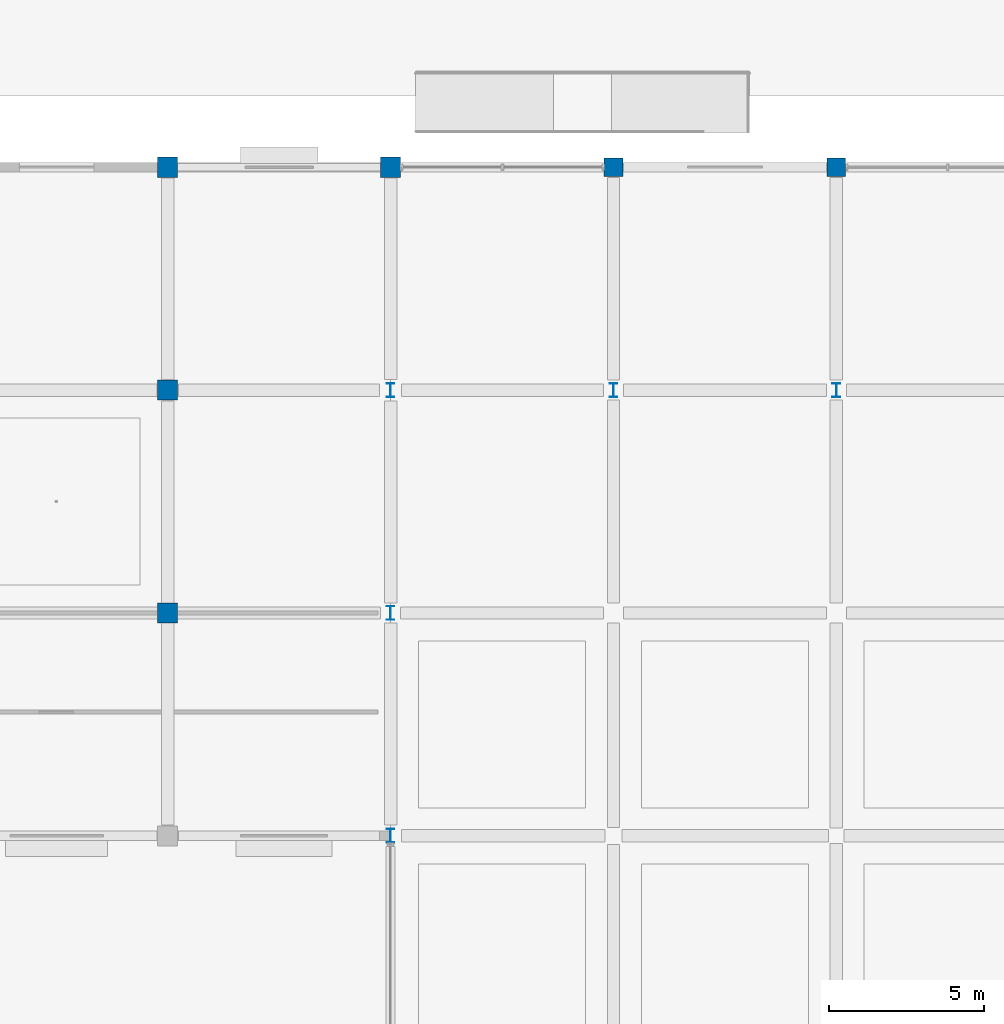
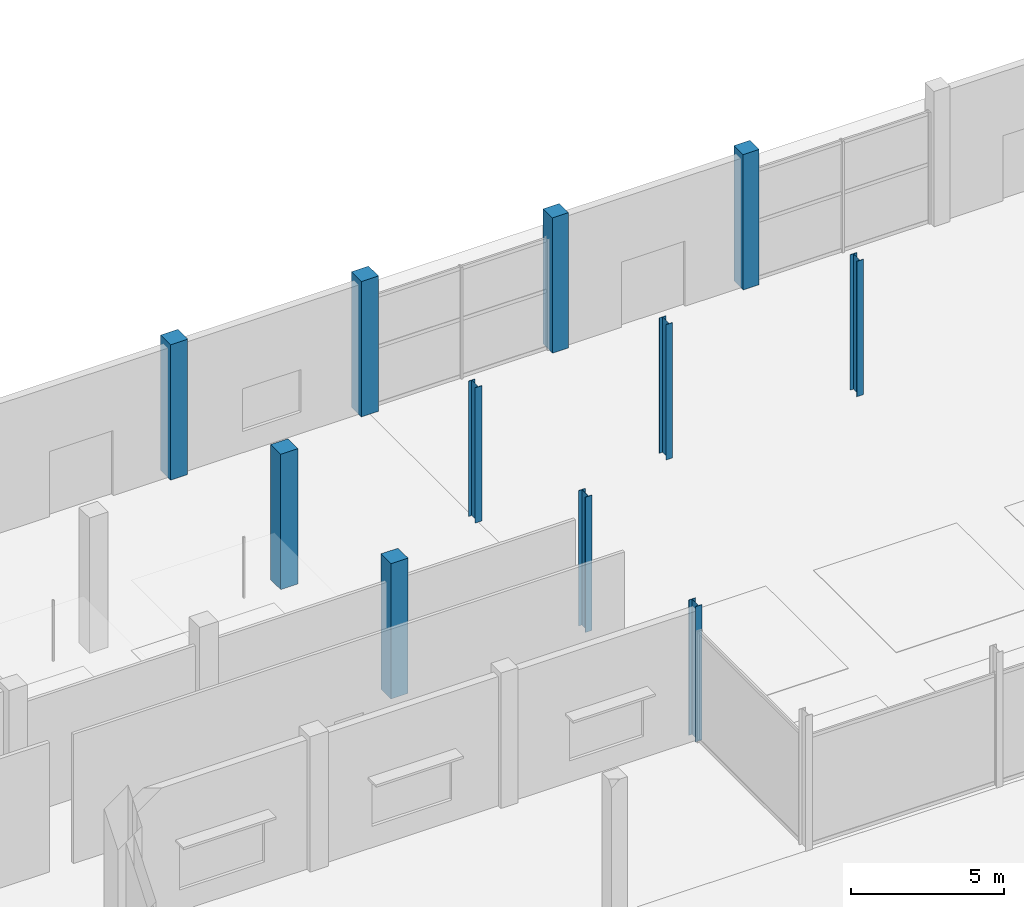
# One storey, part 6 of 90: 11 columns.
"""IFC4 building model written with IfcOpenShell, lengths in metres."""

from ifc_helpers import new_model, si_unit, direction, frame, origin, origin_2d, place, context, subcontext, project, spatial, rectangle, i_section, extrude, material, material_profile, profile_set, type_object, element, save


model = new_model("IFC4")

# Units and contexts
model_context = context("Model", 3, precision=1e-05, world=origin(), true_north=direction((0.0, 1.0)))
body_context = subcontext(model_context, "Body", "Model", "MODEL_VIEW")
ifc_project = project(units=[si_unit("LENGTHUNIT", "METRE"), si_unit("AREAUNIT", "SQUARE_METRE"), si_unit("VOLUMEUNIT", "CUBIC_METRE"), si_unit("PLANEANGLEUNIT", "RADIAN"), si_unit("MASSUNIT", "GRAM", prefix="KILO")], contexts=[model_context])

# Site, building, storey
site_placement = place(None, origin())
site = spatial("IfcSite", under=ifc_project, at=site_placement, CompositionType="ELEMENT")
building_placement = place(site_placement, origin())
building = spatial("IfcBuilding", under=site, at=building_placement, Name="Kangsadwip Square Police Headquarters", CompositionType="ELEMENT")
storey_placement = place(building_placement, origin())
storey = spatial("IfcBuildingStorey", under=building, at=storey_placement, Name="L00", CompositionType="ELEMENT", Elevation=0.0)

# Columns
ifc_material_1 = material(Name="Concrete M35 (35 MPa)", Category="concrete")
ifc_material_profile_1 = material_profile(ifc_material_1, rectangle(XDim=0.60009765625, YDim=0.60009765625, at=origin_2d()), Name="RC COL 600X600")
ifc_profile_set_1 = profile_set([ifc_material_profile_1], Name="Concrete M35 (35 MPa)")
column_type_1 = type_object("IfcColumnType", Name="RcCol600x600", PredefinedType="COLUMN", material=ifc_profile_set_1)
for number, where, z_axis, x_axis, name in (
    (1, (50.39990234375, 115.199951171875, 0.0), (0.0, 0.0, 1.0), (1.0, 0.0, 0.0), "Column COL-L00-07-16"),
    (2, (57.60009765625, 115.199951171875, 0.0), (0.0, 0.0, 1.0), (1.0, 0.0, 0.0), "Column COL-L00-08-16"),
):
    element("IfcColumn", number, at=place(storey_placement, frame(where, z_axis=z_axis, x_axis=x_axis)), inside=storey, type_object=column_type_1, Name=name, PredefinedType="COLUMN", context=body_context, shape_type="SweptSolid", body=[
        extrude(rectangle(XDim=0.60009765625, YDim=0.60009765625, at=origin_2d()), origin(), (0.0, 0.0, 1.0), 5.39990234375),
    ])
ifc_material_2 = material(Name="Concrete M40 (40 MPa)", Category="concrete")
ifc_material_profile_2 = material_profile(ifc_material_2, rectangle(XDim=0.64990234375, YDim=0.64990234375, at=origin_2d()), Name="RC COL 650X650")
ifc_profile_set_2 = profile_set([ifc_material_profile_2], Name="Concrete M40 (40 MPa)")
column_type_2 = type_object("IfcColumnType", Name="RcCol650x650", PredefinedType="COLUMN", material=ifc_profile_set_2)
for number, where, z_axis, x_axis, name in (
    (3, (36.0, 100.800048828125, 0.0), (0.0, 0.0, 1.0), (1.0, 0.0, 0.0), "Column COL-L00-05-14"),
    (4, (36.0, 108.0, 0.0), (0.0, 0.0, 1.0), (1.0, 0.0, 0.0), "Column COL-L00-05-15"),
    (5, (36.0, 115.199951171875, 0.0), (0.0, 0.0, 1.0), (1.0, 0.0, 0.0), "Column COL-L00-05-16"),
    (6, (43.199951171875, 115.199951171875, 0.0), (0.0, 0.0, 1.0), (1.0, 0.0, 0.0), "Column COL-L00-06-16"),
):
    element("IfcColumn", number, at=place(storey_placement, frame(where, z_axis=z_axis, x_axis=x_axis)), inside=storey, type_object=column_type_2, Name=name, PredefinedType="COLUMN", context=body_context, shape_type="SweptSolid", body=[
        extrude(rectangle(XDim=0.64990234375, YDim=0.64990234375, at=origin_2d()), origin(), (0.0, 0.0, 1.0), 5.39990234375),
    ])
ifc_material_3 = material(Name="Structural steel IS 2062 E350 (Grade 350, 350 MPa)", Category="steel")
ifc_material_profile_3 = material_profile(ifc_material_3, i_section(OverallWidth=0.25, OverallDepth=0.449951171875, WebThickness=0.01123046875, FlangeThickness=0.013671875, at=origin_2d()), Name="ISHB 450")
ifc_profile_set_3 = profile_set([ifc_material_profile_3], Name="Structural steel IS 2062 E350 (Grade 350, 350 MPa)")
column_type_3 = type_object("IfcColumnType", Name="SteelColIshb450", PredefinedType="COLUMN", material=ifc_profile_set_3)
for number, where, z_axis, x_axis, name in (
    (7, (43.199951171875, 93.60009765625, 0.0), (0.0, 0.0, 1.0), (1.0, 0.0, 0.0), "Column COL-L00-06-13"),
    (8, (43.199951171875, 100.800048828125, 0.0), (0.0, 0.0, 1.0), (1.0, 0.0, 0.0), "Column COL-L00-06-14"),
    (9, (43.199951171875, 108.0, 0.0), (0.0, 0.0, 1.0), (1.0, 0.0, 0.0), "Column COL-L00-06-15"),
    (10, (50.39990234375, 108.0, 0.0), (0.0, 0.0, 1.0), (1.0, 0.0, 0.0), "Column COL-L00-07-15"),
    (11, (57.60009765625, 108.0, 0.0), (0.0, 0.0, 1.0), (1.0, 0.0, 0.0), "Column COL-L00-08-15"),
):
    element("IfcColumn", number, at=place(storey_placement, frame(where, z_axis=z_axis, x_axis=x_axis)), inside=storey, type_object=column_type_3, Name=name, PredefinedType="COLUMN", context=body_context, shape_type="SweptSolid", body=[
        extrude(i_section(OverallWidth=0.25, OverallDepth=0.449951171875, WebThickness=0.01123046875, FlangeThickness=0.013671875, at=origin_2d()), origin(), (0.0, 0.0, 1.0), 5.39990234375),
    ])

save(model, "model.ifc")
